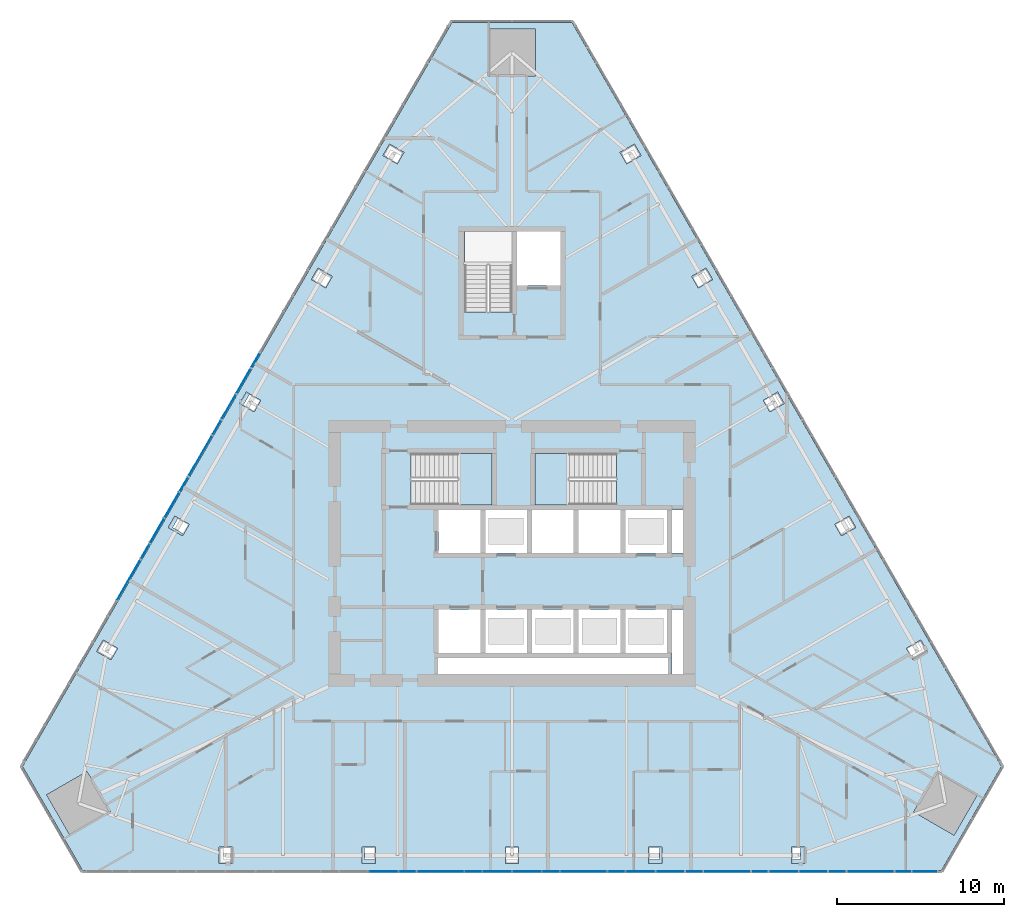
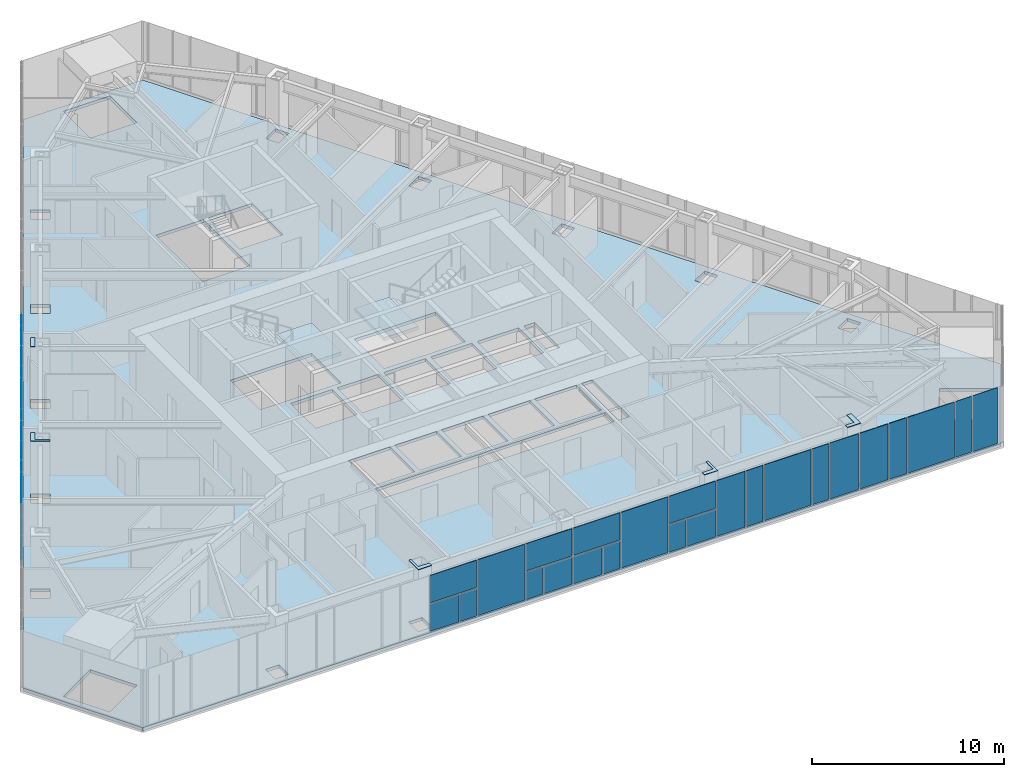
# One storey, part 14 of 24: 39 plates, 3 slabs, 4 elements without a shape of their own.
"""IFC4 building model written with IfcOpenShell, lengths in metres."""

import ifcopenshell
import ifcopenshell.guid

model = None  # the IFC model being written
_history = None  # IfcOwnerHistory: only IFC2X3 demands one
_inside = {}  # id of a spatial element -> (the spatial element, [elements in it])
_under = {}  # id of a project, library or spatial element -> (it, [spatial elements below it])
_declared = {}  # id of a project -> (the project, [libraries it declares])
_typed = {}  # id of a type object -> (the type object, [elements of that type])
_made_of = {}  # id of a material, layer set ... -> (it, [elements and type objects made of it])


def new_model(schema):
    """Start an empty IFC model of exactly this schema.

    Asked for "IFC4X3", IfcOpenShell would pick the latest addendum, in which some entities
    have other attributes; the version numbers below select the first issue.
    IFC2X3 requires an IfcOwnerHistory on every rooted entity: one is made here for all.
    """
    global model, _history
    if schema == "IFC4X3":
        model = ifcopenshell.file(schema_version=(4, 3, 0, 0))
    else:
        model = ifcopenshell.file(schema=schema)
    _inside.clear()
    _under.clear()
    _declared.clear()
    _typed.clear()
    _made_of.clear()
    _history = None
    if model.schema == "IFC2X3":
        org = make("IfcOrganization", Name="unknown")
        user = make(
            "IfcPersonAndOrganization",
            ThePerson=make("IfcPerson", FamilyName="unknown"),
            TheOrganization=org,
        )
        app = make(
            "IfcApplication",
            ApplicationDeveloper=org,
            Version="unknown",
            ApplicationFullName="unknown",
            ApplicationIdentifier="unknown",
        )
        _history = make(
            "IfcOwnerHistory",
            OwningUser=user,
            OwningApplication=app,
            ChangeAction="ADDED",
            CreationDate=0,
        )
    return model


def make(cls, **values):
    """One entity of the class cls with the attributes given. An attribute that is None is left unset."""
    return model.create_entity(
        cls, **{name: value for name, value in values.items() if value is not None}
    )


def rooted(cls, **values):
    """An entity with a GlobalId (a new one), such as an element, a storey or a relation."""
    return make(cls, GlobalId=ifcopenshell.guid.new(), OwnerHistory=_history, **values)


def si_unit(unit_type, name, prefix=None):
    """IfcSIUnit, for example si_unit("LENGTHUNIT", "METRE", prefix="MILLI")."""
    return make("IfcSIUnit", UnitType=unit_type, Prefix=prefix, Name=name)


def assignment(units):
    """IfcUnitAssignment: the units of a project."""
    return None if units is None else make("IfcUnitAssignment", Units=units)


def point(xyz):
    """IfcCartesianPoint."""
    return None if xyz is None else make("IfcCartesianPoint", Coordinates=xyz)


def direction(xyz):
    """IfcDirection."""
    return None if xyz is None else make("IfcDirection", DirectionRatios=xyz)


def frame(location, z_axis=None, x_axis=None):
    """IfcAxis2Placement3D, a coordinate frame: its origin and axes. An axis left out is left unset."""
    return make(
        "IfcAxis2Placement3D",
        Location=point(location),
        Axis=direction(z_axis),
        RefDirection=direction(x_axis),
    )


def origin():
    """The frame at (0, 0, 0) with its axes left unset."""
    return frame((0.0, 0.0, 0.0))


def place(relative_to, where):
    """IfcLocalPlacement: puts the frame where relative to a parent placement (None: the world)."""
    return make(
        "IfcLocalPlacement", PlacementRelTo=relative_to, RelativePlacement=where
    )


def context(
    kind, dimensions, precision=None, world=None, true_north=None, identifier=None
):
    """IfcGeometricRepresentationContext, for example the 3D "Model" context."""
    return make(
        "IfcGeometricRepresentationContext",
        ContextIdentifier=identifier,
        ContextType=kind,
        CoordinateSpaceDimension=dimensions,
        Precision=precision,
        WorldCoordinateSystem=world,
        TrueNorth=true_north,
    )


def subcontext(parent, identifier, kind, view, scale=None):
    """IfcGeometricRepresentationSubContext, for example "Body" below "Model"."""
    return make(
        "IfcGeometricRepresentationSubContext",
        ContextIdentifier=identifier,
        ContextType=kind,
        ParentContext=parent,
        TargetScale=scale,
        TargetView=view,
    )


def project(units=None, contexts=None):
    """IfcProject with its units and contexts."""
    return rooted(
        "IfcProject",
        Name="project",
        RepresentationContexts=contexts,
        UnitsInContext=assignment(units),
    )


def spatial(cls, under=None, at=None, **own):
    """A site, building, storey or space (cls), placed at a placement, below another one or the project."""
    s = rooted(cls, ObjectPlacement=at, **own)
    if under is not None:
        _under.setdefault(under.id(), (under, []))[1].append(s)
    return s


def polyline(points):
    """IfcPolyline through the points."""
    return make("IfcPolyline", Points=[point(p) for p in points])


def outline(outer, holes=None, kind="AREA"):
    """IfcArbitraryClosedProfileDef: a profile drawn as a closed curve; with holes, ...WithVoids."""
    if holes is None:
        return make("IfcArbitraryClosedProfileDef", ProfileType=kind, OuterCurve=outer)
    return make(
        "IfcArbitraryProfileDefWithVoids",
        ProfileType=kind,
        OuterCurve=outer,
        InnerCurves=holes,
    )


def extrude(swept, where, along, depth):
    """IfcExtrudedAreaSolid: the profile swept, set in the frame where, extruded along a direction by depth."""
    return make(
        "IfcExtrudedAreaSolid",
        SweptArea=swept,
        Position=where,
        ExtrudedDirection=direction(along),
        Depth=depth,
    )


def shape(context_of_items, identifier, shape_type, items):
    """IfcShapeRepresentation: the items that make up one representation, for example the "Body"."""
    return make(
        "IfcShapeRepresentation",
        ContextOfItems=context_of_items,
        RepresentationIdentifier=identifier,
        RepresentationType=shape_type,
        Items=items,
    )


def material(Name=None, Category=None):
    """IfcMaterial."""
    return make("IfcMaterial", Name=Name, Category=Category)


def layer(
    of_material, thickness, ventilated=None, Name=None, Category=None, Priority=None
):
    """IfcMaterialLayer: one layer of a wall or slab, of a material (None: an air gap)."""
    return make(
        "IfcMaterialLayer",
        Material=of_material,
        LayerThickness=thickness,
        IsVentilated=ventilated,
        Name=Name,
        Category=Category,
        Priority=Priority,
    )


def layer_set(layers, Name=None):
    """IfcMaterialLayerSet."""
    return make("IfcMaterialLayerSet", MaterialLayers=layers, LayerSetName=Name)


def made_of(thing, what):
    """Note that an element or type object is made of a material, layer set ...; save() writes the relation."""
    if what is not None:
        _made_of.setdefault(what.id(), (what, []))[1].append(thing)
    return thing


def type_object(cls, material=None, **own):
    """A type object (cls), such as IfcWallType, which elements share."""
    return made_of(rooted(cls, **own), material)


def element(
    cls,
    number,
    at=None,
    inside=None,
    cuts=None,
    type_object=None,
    material=None,
    context=None,
    identifier="Body",
    shape_type=None,
    held_by="IfcProductDefinitionShape",
    body=None,
    shapes=None,
    **own,
):
    """One element of the class cls, such as IfcWall. Its Tag is "e" and its number.

    at: its placement. inside: the storey or other place that contains it. cuts: it is an
    opening in that element (IfcRelVoidsElement). A single representation is given by context,
    identifier, shape_type and body (its items); several are given by shapes. held_by: the class
    of the entity that holds the representations. save() writes the other relations.
    """
    e = rooted(cls, Tag="e%d" % number, ObjectPlacement=at, **own)
    if body is not None:
        shapes = [shape(context, identifier, shape_type, body)]
    if shapes is not None:
        e.Representation = make(held_by, Representations=shapes)
    if inside is not None:
        _inside.setdefault(inside.id(), (inside, []))[1].append(e)
    if cuts is not None:
        rooted(
            "IfcRelVoidsElement", RelatingBuildingElement=cuts, RelatedOpeningElement=e
        )
    if type_object is not None:
        _typed.setdefault(type_object.id(), (type_object, []))[1].append(e)
    return made_of(e, material)


def aggregate(whole, parts):
    """IfcRelAggregates: a whole, such as a stair, and the parts it consists of."""
    return rooted("IfcRelAggregates", RelatingObject=whole, RelatedObjects=parts)


def save(model, path):
    """Write the relations noted so far, then the file.

    IfcRelAggregates (storeys below a building ...), IfcRelContainedInSpatialStructure (elements
    in a storey), IfcRelDefinesByType, IfcRelAssociatesMaterial and IfcRelDeclares: one each for
    every whole, place, type object, material and project.
    """
    for whole, parts in _under.values():
        aggregate(whole, parts)
    for where, things in _inside.values():
        rooted(
            "IfcRelContainedInSpatialStructure",
            RelatedElements=things,
            RelatingStructure=where,
        )
    for kind, things in _typed.values():
        rooted("IfcRelDefinesByType", RelatedObjects=things, RelatingType=kind)
    for what, things in _made_of.values():
        rooted("IfcRelAssociatesMaterial", RelatedObjects=things, RelatingMaterial=what)
    for by, libraries in _declared.values():
        rooted("IfcRelDeclares", RelatingContext=by, RelatedDefinitions=libraries)
    model.write(path)


model = new_model("IFC4")

# Units and contexts
model_context = context("Model", 3, precision=1e-05, world=origin(), true_north=direction((0.0, 1.0)))
body_context = subcontext(model_context, "Body", "Model", "MODEL_VIEW")
ifc_project = project(units=[si_unit("LENGTHUNIT", "METRE"), si_unit("AREAUNIT", "SQUARE_METRE"), si_unit("VOLUMEUNIT", "CUBIC_METRE"), si_unit("PLANEANGLEUNIT", "RADIAN"), si_unit("MASSUNIT", "GRAM", prefix="KILO")], contexts=[model_context])

# Site, building, storey
site_placement = place(None, origin())
site = spatial("IfcSite", under=ifc_project, at=site_placement, CompositionType="ELEMENT")
building_placement = place(site_placement, origin())
building = spatial("IfcBuilding", under=site, at=building_placement, Name="Firuza Gate Tower and Library", CompositionType="ELEMENT")
storey_placement = place(building_placement, frame((0.0, 0.0, 206.5)))
storey = spatial("IfcBuildingStorey", under=building, at=storey_placement, Name="L48", CompositionType="ELEMENT", Elevation=206.5)

# Plates
ifc_material_1 = material(Name="Steel S355", Category="steel")
ifc_layer_1 = layer(ifc_material_1, 0.030029296875)
ifc_layer_set_1 = layer_set([ifc_layer_1], Name="Column infill plate 30 Steel S355")
plate_type_1 = type_object("IfcPlateType", Name="Column infill plate 30 Steel S355", PredefinedType="SHEET", material=ifc_layer_set_1)
placement_1 = place(storey_placement, frame((0.0, 0.0, 3.89990234375)))
element("IfcPlate", 1, at=placement_1, inside=storey, type_object=plate_type_1, Name="Infill plate L48:S2", PredefinedType="SHEET", context=body_context, shape_type="SweptSolid", body=[
    extrude(outline(polyline([(66.80615234375, 56.3583984375), (66.80615234375, 56.597412109375), (66.144287109375, 56.597412109375), (66.144287109375, 57.3583984375), (66.00634765625, 57.3583984375), (66.00634765625, 56.3583984375), (66.80615234375, 56.3583984375)])), origin(), (0.0, 0.0, 1.0), 0.030029296875),
])
element("IfcPlate", 2, at=placement_1, inside=storey, type_object=plate_type_1, Name="Infill plate L48:S4", PredefinedType="SHEET", context=body_context, shape_type="SweptSolid", body=[
    extrude(outline(polyline([(83.99365234375, 57.3583984375), (83.855712890625, 57.3583984375), (83.855712890625, 56.597412109375), (83.19384765625, 56.597412109375), (83.19384765625, 56.3583984375), (83.99365234375, 56.3583984375), (83.99365234375, 57.3583984375)])), origin(), (0.0, 0.0, 1.0), 0.030029296875),
])
element("IfcPlate", 3, at=placement_1, inside=storey, type_object=plate_type_1, Name="Infill plate L48:S5", PredefinedType="SHEET", context=body_context, shape_type="SweptSolid", body=[
    extrude(outline(polyline([(92.58740234375, 57.3583984375), (92.311279296875, 57.3583984375), (92.311279296875, 56.597412109375), (91.787353515625, 56.597412109375), (91.787353515625, 56.3583984375), (92.58740234375, 56.3583984375), (92.58740234375, 57.3583984375)])), origin(), (0.0, 0.0, 1.0), 0.030029296875),
])
element("IfcPlate", 4, at=placement_1, inside=storey, type_object=plate_type_1, Name="Infill plate L48:W3", PredefinedType="SHEET", context=body_context, shape_type="SweptSolid", body=[
    extrude(outline(polyline([(58.65576171875, 83.974365234375), (58.86279296875, 83.85498046875), (59.262939453125, 84.547607421875), (59.921875, 84.167236328125), (59.921875, 84.167236328125), (59.055908203125, 84.667236328125), (58.65576171875, 83.974365234375)])), origin(), (0.0, 0.0, 1.0), 0.030029296875),
])
element("IfcPlate", 5, at=placement_1, inside=storey, type_object=plate_type_1, Name="Infill plate L48:W4", PredefinedType="SHEET", context=body_context, shape_type="SweptSolid", body=[
    extrude(outline(polyline([(55.224853515625, 76.031982421875), (55.2939453125, 76.151611328125), (54.635009765625, 76.531982421875), (54.966064453125, 77.105224609375), (54.759033203125, 77.224853515625), (54.35888671875, 76.531982421875), (55.224853515625, 76.031982421875)])), origin(), (0.0, 0.0, 1.0), 0.030029296875),
])

# Slab
ifc_material_2 = material(Name="Concrete C40/50", Category="concrete")
ifc_layer_2 = layer(ifc_material_2, 0.199951171875)
ifc_layer_set_2 = layer_set([ifc_layer_2], Name="Composite floor slab 200 C40/50")
slab_type_1 = type_object("IfcSlabType", Name="Composite floor slab 200 C40/50", PredefinedType="FLOOR", material=ifc_layer_set_2)
slab_1_placement = place(storey_placement, frame((0.0, 0.0, -0.199951171875)))
element("IfcSlab", 6, at=slab_1_placement, inside=storey, type_object=slab_type_1, Name="Floor slab L48", PredefinedType="FLOOR", context=body_context, shape_type="SweptSolid", body=[
    extrude(outline(polyline([(45.618896484375, 62.193603515625), (49.21875, 55.958251953125), (100.78125, 55.958251953125), (104.381103515625, 62.193603515625), (78.60009765625, 106.84814453125), (71.39990234375, 106.84814453125), (45.618896484375, 62.193603515625)]), holes=[polyline([(57.41259765625, 56.3583984375), (57.41259765625, 57.3583984375), (58.212646484375, 57.3583984375), (58.212646484375, 56.3583984375), (57.41259765625, 56.3583984375)]), polyline([(74.60009765625, 56.3583984375), (74.60009765625, 57.3583984375), (75.39990234375, 57.3583984375), (75.39990234375, 56.3583984375), (74.60009765625, 56.3583984375)]), polyline([(66.00634765625, 56.3583984375), (66.00634765625, 57.3583984375), (66.80615234375, 57.3583984375), (66.80615234375, 56.3583984375), (66.00634765625, 56.3583984375)]), polyline([(47.065185546875, 60.488525390625), (49.489990234375, 61.888427734375), (50.89013671875, 59.463623046875), (48.465087890625, 58.0634765625), (47.065185546875, 60.488525390625)]), polyline([(84.35009765625, 67.75), (70.550048828125, 67.75), (70.550048828125, 68.699951171875), (84.35009765625, 68.699951171875), (84.35009765625, 67.75)]), polyline([(50.462158203125, 69.782470703125), (51.328125, 69.282470703125), (50.927978515625, 68.589599609375), (50.06201171875, 69.089599609375), (50.462158203125, 69.782470703125)]), polyline([(73.10009765625, 69.0), (70.60009765625, 69.0), (70.60009765625, 71.60009765625), (73.10009765625, 71.60009765625), (73.10009765625, 69.0)]), polyline([(75.89990234375, 69.0), (73.39990234375, 69.0), (73.39990234375, 71.60009765625), (75.89990234375, 71.60009765625), (75.89990234375, 69.0)]), polyline([(73.10009765625, 75.0), (70.60009765625, 75.0), (70.60009765625, 77.60009765625), (73.10009765625, 77.60009765625), (73.10009765625, 75.0)]), polyline([(75.89990234375, 75.0), (73.39990234375, 75.0), (73.39990234375, 77.60009765625), (75.89990234375, 77.60009765625), (75.89990234375, 75.0)]), polyline([(54.759033203125, 77.224853515625), (55.625, 76.724853515625), (55.224853515625, 76.031982421875), (54.35888671875, 76.531982421875), (54.759033203125, 77.224853515625)]), polyline([(73.81005859375, 77.89990234375), (68.9404296875, 77.89990234375), (68.9404296875, 80.97998046875), (73.81005859375, 80.97998046875), (73.81005859375, 77.89990234375)]), polyline([(59.055908203125, 84.667236328125), (59.921875, 84.167236328125), (59.521728515625, 83.474365234375), (58.65576171875, 83.974365234375), (59.055908203125, 84.667236328125)]), polyline([(63.352783203125, 92.109619140625), (64.21875, 91.609619140625), (63.818603515625, 90.916748046875), (62.95263671875, 91.416748046875), (63.352783203125, 92.109619140625)]), polyline([(72.159912109375, 89.470458984375), (72.159912109375, 94.300048828125), (75.0, 94.300048828125), (75.0, 89.470458984375), (72.159912109375, 89.470458984375)]), polyline([(75.300048828125, 91.050048828125), (75.300048828125, 94.300048828125), (77.89990234375, 94.300048828125), (77.89990234375, 91.050048828125), (75.300048828125, 91.050048828125)]), polyline([(68.515625, 99.052001953125), (68.115478515625, 98.359130859375), (67.24951171875, 98.859130859375), (67.649658203125, 99.552001953125), (68.515625, 99.052001953125)]), polyline([(76.39990234375, 106.447998046875), (76.39990234375, 103.64794921875), (73.60009765625, 103.64794921875), (73.60009765625, 106.447998046875), (76.39990234375, 106.447998046875)]), polyline([(91.787353515625, 56.3583984375), (91.787353515625, 57.3583984375), (92.58740234375, 57.3583984375), (92.58740234375, 56.3583984375), (91.787353515625, 56.3583984375)]), polyline([(83.19384765625, 56.3583984375), (83.19384765625, 57.3583984375), (83.99365234375, 57.3583984375), (83.99365234375, 56.3583984375), (83.19384765625, 56.3583984375)]), polyline([(101.534912109375, 58.0634765625), (99.10986328125, 59.463623046875), (100.510009765625, 61.888427734375), (102.934814453125, 60.488525390625), (101.534912109375, 58.0634765625)]), polyline([(99.93798828125, 69.089599609375), (99.072021484375, 68.589599609375), (98.671875, 69.282470703125), (99.537841796875, 69.782470703125), (99.93798828125, 69.089599609375)]), polyline([(85.25, 67.75), (84.60009765625, 67.75), (84.60009765625, 71.60009765625), (85.25, 71.60009765625), (85.25, 67.75)]), polyline([(81.5, 69.0), (79.0, 69.0), (79.0, 71.60009765625), (81.5, 71.60009765625), (81.5, 69.0)]), polyline([(81.800048828125, 69.0), (81.800048828125, 71.60009765625), (84.300048828125, 71.60009765625), (84.300048828125, 69.0), (81.800048828125, 69.0)]), polyline([(76.199951171875, 69.0), (76.199951171875, 71.60009765625), (78.699951171875, 71.60009765625), (78.699951171875, 69.0), (76.199951171875, 69.0)]), polyline([(81.5, 75.0), (79.0, 75.0), (79.0, 77.60009765625), (81.5, 77.60009765625), (81.5, 75.0)]), polyline([(84.300048828125, 75.0), (81.800048828125, 75.0), (81.800048828125, 77.60009765625), (84.300048828125, 77.60009765625), (84.300048828125, 75.0)]), polyline([(85.25, 75.0), (84.60009765625, 75.0), (84.60009765625, 77.60009765625), (85.25, 77.60009765625), (85.25, 75.0)]), polyline([(78.699951171875, 75.0), (76.199951171875, 75.0), (76.199951171875, 77.60009765625), (78.699951171875, 77.60009765625), (78.699951171875, 75.0)]), polyline([(95.64111328125, 76.531982421875), (94.775146484375, 76.031982421875), (94.375, 76.724853515625), (95.240966796875, 77.224853515625), (95.64111328125, 76.531982421875)]), polyline([(81.259521484375, 77.89990234375), (76.389892578125, 77.89990234375), (76.389892578125, 80.97998046875), (81.259521484375, 80.97998046875), (81.259521484375, 77.89990234375)]), polyline([(91.34423828125, 83.974365234375), (90.478271484375, 83.474365234375), (90.078125, 84.167236328125), (90.944091796875, 84.667236328125), (91.34423828125, 83.974365234375)]), polyline([(86.181396484375, 90.916748046875), (85.78125, 91.609619140625), (86.647216796875, 92.109619140625), (87.04736328125, 91.416748046875), (86.181396484375, 90.916748046875)]), polyline([(81.884521484375, 98.359130859375), (81.484375, 99.052001953125), (82.350341796875, 99.552001953125), (82.75048828125, 98.859130859375), (81.884521484375, 98.359130859375)])]), origin(), (0.0, 0.0, 1.0), 0.199951171875),
])

# Curtain wall, plates
ifc_material_3 = material(Name="Aluminium 6063-T6", Category="aluminium")
ifc_layer_3 = layer(ifc_material_3, 0.14990234375)
ifc_layer_set_3 = layer_set([ifc_layer_3], Name="Unitised curtain wall, hotel")
curtain_wall_type = type_object("IfcCurtainWallType", Name="Unitised curtain wall, hotel", PredefinedType="NOTDEFINED", material=ifc_layer_set_3)
placement_2 = place(storey_placement, origin())
curtain_wall_1 = element("IfcCurtainWall", 7, at=placement_2, inside=storey, type_object=curtain_wall_type, Name="CW2 L48 S face", PredefinedType="NOTDEFINED")
ifc_material_4 = material(Name="Fritted glass", Category="glass")
ifc_layer_4 = layer(ifc_material_4, 0.030029296875)
ifc_layer_set_4 = layer_set([ifc_layer_4], Name="Fritted glass unit, hotel")
plate_type_2 = type_object("IfcPlateType", Name="Fritted glass unit, hotel", PredefinedType="CURTAIN_PANEL", material=ifc_layer_set_4)
plate_6_placement = place(storey_placement, frame((66.431884765625, 55.868408203125, 0.14990234375), z_axis=(0.0, -1.0, 0.0), x_axis=(1.0, 0.0, 0.0)))
plate_6 = element("IfcPlate", 8, at=plate_6_placement, type_object=plate_type_2, Name="Glass unit", PredefinedType="CURTAIN_PANEL", context=body_context, shape_type="SweptSolid", body=[
    extrude(outline(polyline([(0.0, 0.0), (1.720947265625, 0.0), (1.720947265625, 1.735107421875), (0.0, 1.735107421875), (0.0, 0.0)])), origin(), (0.0, 0.0, -1.0), 0.030029296875),
])
plate_7_placement = place(storey_placement, frame((66.431884765625, 55.868408203125, 1.965087890625), z_axis=(0.0, -1.0, 0.0), x_axis=(1.0, 0.0, 0.0)))
plate_7 = element("IfcPlate", 9, at=plate_7_placement, type_object=plate_type_2, Name="Glass unit", PredefinedType="CURTAIN_PANEL", context=body_context, shape_type="SweptSolid", body=[
    extrude(outline(polyline([(0.0, 0.0), (2.789306640625, 0.0), (2.789306640625, 1.73486328125), (0.0, 1.73486328125), (0.0, 0.0)])), origin(), (0.0, 0.0, -1.0), 0.030029296875),
])
plate_8_placement = place(storey_placement, frame((73.25341796875, 55.868408203125, 0.14990234375), z_axis=(0.0, -1.0, 0.0), x_axis=(1.0, 0.0, 0.0)))
plate_8 = element("IfcPlate", 10, at=plate_8_placement, type_object=plate_type_2, Name="Glass unit", PredefinedType="CURTAIN_PANEL", context=body_context, shape_type="SweptSolid", body=[
    extrude(outline(polyline([(0.0, 0.0), (1.70654296875, 0.0), (1.70654296875, 1.735107421875), (0.0, 1.735107421875), (0.0, 0.0)])), origin(), (0.0, 0.0, -1.0), 0.030029296875),
])
plate_9_placement = place(storey_placement, frame((72.170654296875, 55.868408203125, 1.965087890625), z_axis=(0.0, -1.0, 0.0), x_axis=(1.0, 0.0, 0.0)))
plate_9 = element("IfcPlate", 11, at=plate_9_placement, type_object=plate_type_2, Name="Glass unit", PredefinedType="CURTAIN_PANEL", context=body_context, shape_type="SweptSolid", body=[
    extrude(outline(polyline([(0.0, 0.0), (2.789306640625, 0.0), (2.789306640625, 1.73486328125), (0.0, 1.73486328125), (0.0, 0.0)])), origin(), (0.0, 0.0, -1.0), 0.030029296875),
])
plate_10_placement = place(storey_placement, frame((75.0400390625, 55.868408203125, 0.14990234375), z_axis=(0.0, -1.0, 0.0), x_axis=(1.0, 0.0, 0.0)))
plate_10 = element("IfcPlate", 12, at=plate_10_placement, type_object=plate_type_2, Name="Glass unit", PredefinedType="CURTAIN_PANEL", context=body_context, shape_type="SweptSolid", body=[
    extrude(outline(polyline([(0.0, 0.0), (1.70654296875, 0.0), (1.70654296875, 1.735107421875), (0.0, 1.735107421875), (0.0, 0.0)])), origin(), (0.0, 0.0, -1.0), 0.030029296875),
])
plate_11_placement = place(storey_placement, frame((75.0400390625, 55.868408203125, 1.965087890625), z_axis=(0.0, -1.0, 0.0), x_axis=(1.0, 0.0, 0.0)))
plate_11 = element("IfcPlate", 13, at=plate_11_placement, type_object=plate_type_2, Name="Glass unit", PredefinedType="CURTAIN_PANEL", context=body_context, shape_type="SweptSolid", body=[
    extrude(outline(polyline([(0.0, 0.0), (2.789306640625, 0.0), (2.789306640625, 1.73486328125), (0.0, 1.73486328125), (0.0, 0.0)])), origin(), (0.0, 0.0, -1.0), 0.030029296875),
])
plate_12_placement = place(storey_placement, frame((81.84716796875, 55.868408203125, 0.14990234375), z_axis=(0.0, -1.0, 0.0), x_axis=(1.0, 0.0, 0.0)))
plate_12 = element("IfcPlate", 14, at=plate_12_placement, type_object=plate_type_2, Name="Glass unit", PredefinedType="CURTAIN_PANEL", context=body_context, shape_type="SweptSolid", body=[
    extrude(outline(polyline([(0.0, 0.0), (1.720947265625, 0.0), (1.720947265625, 1.735107421875), (0.0, 1.735107421875), (0.0, 0.0)])), origin(), (0.0, 0.0, -1.0), 0.030029296875),
])
plate_13_placement = place(storey_placement, frame((80.77880859375, 55.868408203125, 1.965087890625), z_axis=(0.0, -1.0, 0.0), x_axis=(1.0, 0.0, 0.0)))
plate_13 = element("IfcPlate", 15, at=plate_13_placement, type_object=plate_type_2, Name="Glass unit", PredefinedType="CURTAIN_PANEL", context=body_context, shape_type="SweptSolid", body=[
    extrude(outline(polyline([(0.0, 0.0), (2.789306640625, 0.0), (2.789306640625, 1.73486328125), (0.0, 1.73486328125), (0.0, 0.0)])), origin(), (0.0, 0.0, -1.0), 0.030029296875),
])
plate_14_placement = place(storey_placement, frame((83.648193359375, 55.868408203125, 0.14990234375), z_axis=(0.0, -1.0, 0.0), x_axis=(1.0, 0.0, 0.0)))
plate_14 = element("IfcPlate", 16, at=plate_14_placement, type_object=plate_type_2, Name="Glass unit", PredefinedType="CURTAIN_PANEL", context=body_context, shape_type="SweptSolid", body=[
    extrude(outline(polyline([(0.0, 0.0), (1.69189453125, 0.0), (1.69189453125, 3.550048828125), (0.0, 3.550048828125), (0.0, 0.0)])), origin(), (0.0, 0.0, -1.0), 0.030029296875),
])
plate_15_placement = place(storey_placement, frame((90.44091796875, 55.868408203125, 0.14990234375), z_axis=(0.0, -1.0, 0.0), x_axis=(1.0, 0.0, 0.0)))
plate_15 = element("IfcPlate", 17, at=plate_15_placement, type_object=plate_type_2, Name="Glass unit", PredefinedType="CURTAIN_PANEL", context=body_context, shape_type="SweptSolid", body=[
    extrude(outline(polyline([(0.0, 0.0), (1.7353515625, 0.0), (1.7353515625, 3.550048828125), (0.0, 3.550048828125), (0.0, 0.0)])), origin(), (0.0, 0.0, -1.0), 0.030029296875),
])
plate_16_placement = place(storey_placement, frame((92.25634765625, 55.868408203125, 0.14990234375), z_axis=(0.0, -1.0, 0.0), x_axis=(1.0, 0.0, 0.0)))
plate_16 = element("IfcPlate", 18, at=plate_16_placement, type_object=plate_type_2, Name="Glass unit", PredefinedType="CURTAIN_PANEL", context=body_context, shape_type="SweptSolid", body=[
    extrude(outline(polyline([(0.0, 0.0), (1.677490234375, 0.0), (1.677490234375, 3.550048828125), (0.0, 3.550048828125), (0.0, 0.0)])), origin(), (0.0, 0.0, -1.0), 0.030029296875),
])
plate_17_placement = place(storey_placement, frame((99.03466796875, 55.868408203125, 0.14990234375), z_axis=(0.0, -1.0, 0.0), x_axis=(1.0, 0.0, 0.0)))
plate_17 = element("IfcPlate", 19, at=plate_17_placement, type_object=plate_type_2, Name="Glass unit", PredefinedType="CURTAIN_PANEL", context=body_context, shape_type="SweptSolid", body=[
    extrude(outline(polyline([(0.0, 0.0), (1.483642578125, 0.0), (1.483642578125, 3.550048828125), (0.0, 3.550048828125), (0.0, 0.0)])), origin(), (0.0, 0.0, -1.0), 0.030029296875),
])

curtain_wall_2 = element("IfcCurtainWall", 20, at=placement_2, inside=storey, type_object=curtain_wall_type, Name="CW2 L48 W face", PredefinedType="NOTDEFINED")
plate_18_placement = place(storey_placement, frame((59.3046875, 86.078369140625, 0.14990234375), z_axis=(-0.866006890829, 0.500032064009, 0.0), x_axis=(-0.500032064009, -0.866006890829, 0.0)))
plate_18 = element("IfcPlate", 21, at=plate_18_placement, type_object=plate_type_2, Name="Glass unit", PredefinedType="CURTAIN_PANEL", context=body_context, shape_type="SweptSolid", body=[
    extrude(outline(polyline([(0.0, 0.0), (1.7064335385493044, 0.0), (1.7064335385493044, 3.550048828125), (0.0, 3.550048828125), (0.0, 0.0)])), origin(), (0.0, 0.0, -1.0), 0.030029296875),
])
plate_19_placement = place(storey_placement, frame((58.411376953125, 84.53125, 0.14990234375), z_axis=(-0.866006890829, 0.500032064009, 0.0), x_axis=(-0.500032064009, -0.866006890829, 0.0)))
plate_19 = element("IfcPlate", 22, at=plate_19_placement, type_object=plate_type_2, Name="Glass unit", PredefinedType="CURTAIN_PANEL", context=body_context, shape_type="SweptSolid", body=[
    extrude(outline(polyline([(0.0, 0.0), (1.7064335385493044, 0.0), (1.7064335385493044, 3.550048828125), (0.0, 3.550048828125), (0.0, 0.0)])), origin(), (0.0, 0.0, -1.0), 0.030029296875),
])
plate_20_placement = place(storey_placement, frame((55.0078125, 78.635986328125, 0.14990234375), z_axis=(-0.866069837128, 0.499923031292, 0.0), x_axis=(-0.499923031292, -0.866069837128, 0.0)))
plate_20 = element("IfcPlate", 23, at=plate_20_placement, type_object=plate_type_2, Name="Glass unit", PredefinedType="CURTAIN_PANEL", context=body_context, shape_type="SweptSolid", body=[
    extrude(outline(polyline([(0.0, 0.0), (1.720968046372708, 0.0), (1.720968046372708, 3.550048828125), (0.0, 3.550048828125), (0.0, 0.0)])), origin(), (0.0, 0.0, -1.0), 0.030029296875),
])
plate_21_placement = place(storey_placement, frame((54.107421875, 77.076416015625, 0.14990234375), z_axis=(-0.865978937756, 0.500080472886, 0.0), x_axis=(-0.500080472886, -0.865978937756, 0.0)))
plate_21 = element("IfcPlate", 24, at=plate_21_placement, type_object=plate_type_2, Name="Glass unit", PredefinedType="CURTAIN_PANEL", context=body_context, shape_type="SweptSolid", body=[
    extrude(outline(polyline([(0.0, 0.0), (1.6921104744722206, 0.0), (1.6921104744722206, 3.550048828125), (0.0, 3.550048828125), (0.0, 0.0)])), origin(), (0.0, 0.0, -1.0), 0.030029296875),
])

# Plate
ifc_material_5 = material(Name="Glazed ceramic tile")
ifc_layer_5 = layer(ifc_material_5, 0.030029296875)
ifc_layer_set_5 = layer_set([ifc_layer_5], Name="Opaque ceramic panel, hotel")
plate_type_3 = type_object("IfcPlateType", Name="Opaque ceramic panel, hotel", PredefinedType="CURTAIN_PANEL", material=ifc_layer_set_5)
plate_22_placement = place(storey_placement, frame((68.232666015625, 55.868408203125, 0.14990234375), z_axis=(0.0, -1.0, 0.0), x_axis=(1.0, 0.0, 0.0)))
plate_22 = element("IfcPlate", 25, at=plate_22_placement, type_object=plate_type_3, Name="Opaque ceramic panel", PredefinedType="CURTAIN_PANEL", context=body_context, shape_type="SweptSolid", body=[
    extrude(outline(polyline([(0.0, 0.0), (0.988525390625, 0.0), (0.988525390625, 1.735107421875), (0.0, 1.735107421875), (0.0, 0.0)])), origin(), (0.0, 0.0, -1.0), 0.030029296875),
])

plate_23_placement = place(storey_placement, frame((69.30126953125, 55.868408203125, 0.14990234375), z_axis=(0.0, -1.0, 0.0), x_axis=(1.0, 0.0, 0.0)))
plate_23 = element("IfcPlate", 26, at=plate_23_placement, type_object=plate_type_3, Name="Opaque ceramic panel", PredefinedType="CURTAIN_PANEL", context=body_context, shape_type="SweptSolid", body=[
    extrude(outline(polyline([(0.0, 0.0), (2.789306640625, 0.0), (2.789306640625, 3.550048828125), (0.0, 3.550048828125), (0.0, 0.0)])), origin(), (0.0, 0.0, -1.0), 0.030029296875),
])

plate_24_placement = place(storey_placement, frame((72.170654296875, 55.868408203125, 0.14990234375), z_axis=(0.0, -1.0, 0.0), x_axis=(1.0, 0.0, 0.0)))
plate_24 = element("IfcPlate", 27, at=plate_24_placement, type_object=plate_type_3, Name="Opaque ceramic panel", PredefinedType="CURTAIN_PANEL", context=body_context, shape_type="SweptSolid", body=[
    extrude(outline(polyline([(0.0, 0.0), (1.0029296875, 0.0), (1.0029296875, 1.735107421875), (0.0, 1.735107421875), (0.0, 0.0)])), origin(), (0.0, 0.0, -1.0), 0.030029296875),
])

plate_25_placement = place(storey_placement, frame((76.826416015625, 55.868408203125, 0.14990234375), z_axis=(0.0, -1.0, 0.0), x_axis=(1.0, 0.0, 0.0)))
plate_25 = element("IfcPlate", 28, at=plate_25_placement, type_object=plate_type_3, Name="Opaque ceramic panel", PredefinedType="CURTAIN_PANEL", context=body_context, shape_type="SweptSolid", body=[
    extrude(outline(polyline([(0.0, 0.0), (1.0029296875, 0.0), (1.0029296875, 1.735107421875), (0.0, 1.735107421875), (0.0, 0.0)])), origin(), (0.0, 0.0, -1.0), 0.030029296875),
])

plate_26_placement = place(storey_placement, frame((77.909423828125, 55.868408203125, 0.14990234375), z_axis=(0.0, -1.0, 0.0), x_axis=(1.0, 0.0, 0.0)))
plate_26 = element("IfcPlate", 29, at=plate_26_placement, type_object=plate_type_3, Name="Opaque ceramic panel", PredefinedType="CURTAIN_PANEL", context=body_context, shape_type="SweptSolid", body=[
    extrude(outline(polyline([(0.0, 0.0), (2.789306640625, 0.0), (2.789306640625, 3.550048828125), (0.0, 3.550048828125), (0.0, 0.0)])), origin(), (0.0, 0.0, -1.0), 0.030029296875),
])

plate_27_placement = place(storey_placement, frame((80.77880859375, 55.868408203125, 0.14990234375), z_axis=(0.0, -1.0, 0.0), x_axis=(1.0, 0.0, 0.0)))
plate_27 = element("IfcPlate", 30, at=plate_27_placement, type_object=plate_type_3, Name="Opaque ceramic panel", PredefinedType="CURTAIN_PANEL", context=body_context, shape_type="SweptSolid", body=[
    extrude(outline(polyline([(0.0, 0.0), (0.988525390625, 0.0), (0.988525390625, 1.735107421875), (0.0, 1.735107421875), (0.0, 0.0)])), origin(), (0.0, 0.0, -1.0), 0.030029296875),
])

plate_28_placement = place(storey_placement, frame((85.420166015625, 55.868408203125, 0.14990234375), z_axis=(0.0, -1.0, 0.0), x_axis=(1.0, 0.0, 0.0)))
plate_28 = element("IfcPlate", 31, at=plate_28_placement, type_object=plate_type_3, Name="Opaque ceramic panel", PredefinedType="CURTAIN_PANEL", context=body_context, shape_type="SweptSolid", body=[
    extrude(outline(polyline([(0.0, 0.0), (1.017333984375, 0.0), (1.017333984375, 3.550048828125), (0.0, 3.550048828125), (0.0, 0.0)])), origin(), (0.0, 0.0, -1.0), 0.030029296875),
])

plate_29_placement = place(storey_placement, frame((86.517578125, 55.868408203125, 0.14990234375), z_axis=(0.0, -1.0, 0.0), x_axis=(1.0, 0.0, 0.0)))
plate_29 = element("IfcPlate", 32, at=plate_29_placement, type_object=plate_type_3, Name="Opaque ceramic panel", PredefinedType="CURTAIN_PANEL", context=body_context, shape_type="SweptSolid", body=[
    extrude(outline(polyline([(0.0, 0.0), (2.789306640625, 0.0), (2.789306640625, 3.550048828125), (0.0, 3.550048828125), (0.0, 0.0)])), origin(), (0.0, 0.0, -1.0), 0.030029296875),
])

plate_30_placement = place(storey_placement, frame((89.386962890625, 55.868408203125, 0.14990234375), z_axis=(0.0, -1.0, 0.0), x_axis=(1.0, 0.0, 0.0)))
plate_30 = element("IfcPlate", 33, at=plate_30_placement, type_object=plate_type_3, Name="Opaque ceramic panel", PredefinedType="CURTAIN_PANEL", context=body_context, shape_type="SweptSolid", body=[
    extrude(outline(polyline([(0.0, 0.0), (0.97412109375, 0.0), (0.97412109375, 3.550048828125), (0.0, 3.550048828125), (0.0, 0.0)])), origin(), (0.0, 0.0, -1.0), 0.030029296875),
])

plate_31_placement = place(storey_placement, frame((94.013916015625, 55.868408203125, 0.14990234375), z_axis=(0.0, -1.0, 0.0), x_axis=(1.0, 0.0, 0.0)))
plate_31 = element("IfcPlate", 34, at=plate_31_placement, type_object=plate_type_3, Name="Opaque ceramic panel", PredefinedType="CURTAIN_PANEL", context=body_context, shape_type="SweptSolid", body=[
    extrude(outline(polyline([(0.0, 0.0), (1.03173828125, 0.0), (1.03173828125, 3.550048828125), (0.0, 3.550048828125), (0.0, 0.0)])), origin(), (0.0, 0.0, -1.0), 0.030029296875),
])

plate_32_placement = place(storey_placement, frame((95.125732421875, 55.868408203125, 0.14990234375), z_axis=(0.0, -1.0, 0.0), x_axis=(1.0, 0.0, 0.0)))
plate_32 = element("IfcPlate", 35, at=plate_32_placement, type_object=plate_type_3, Name="Opaque ceramic panel", PredefinedType="CURTAIN_PANEL", context=body_context, shape_type="SweptSolid", body=[
    extrude(outline(polyline([(0.0, 0.0), (2.789306640625, 0.0), (2.789306640625, 3.550048828125), (0.0, 3.550048828125), (0.0, 0.0)])), origin(), (0.0, 0.0, -1.0), 0.030029296875),
])

plate_33_placement = place(storey_placement, frame((97.9951171875, 55.868408203125, 0.14990234375), z_axis=(0.0, -1.0, 0.0), x_axis=(1.0, 0.0, 0.0)))
plate_33 = element("IfcPlate", 36, at=plate_33_placement, type_object=plate_type_3, Name="Opaque ceramic panel", PredefinedType="CURTAIN_PANEL", context=body_context, shape_type="SweptSolid", body=[
    extrude(outline(polyline([(0.0, 0.0), (0.959716796875, 0.0), (0.959716796875, 3.550048828125), (0.0, 3.550048828125), (0.0, 0.0)])), origin(), (0.0, 0.0, -1.0), 0.030029296875),
])

aggregate(curtain_wall_1, [plate_6, plate_22, plate_7, plate_23, plate_24, plate_8, plate_9, plate_10, plate_25, plate_11, plate_26, plate_27, plate_12, plate_13, plate_14, plate_28, plate_29, plate_30, plate_15, plate_16, plate_31, plate_32, plate_33, plate_17])

plate_34_placement = place(storey_placement, frame((59.84619140625, 87.01611328125, 0.14990234375), z_axis=(-0.865986912717, 0.500066662559, 0.0), x_axis=(-0.500066662559, -0.865986912717, 0.0)))
plate_34 = element("IfcPlate", 37, at=plate_34_placement, type_object=plate_type_3, Name="Opaque ceramic panel", PredefinedType="CURTAIN_PANEL", context=body_context, shape_type="SweptSolid", body=[
    extrude(outline(polyline([(0.0, 0.0), (1.0027959896070602, 0.0), (1.0027959896070602, 3.550048828125), (0.0, 3.550048828125), (0.0, 0.0)])), origin(), (0.0, 0.0, -1.0), 0.030029296875),
])

plate_35_placement = place(storey_placement, frame((57.518310546875, 82.984130859375, 0.14990234375), z_axis=(-0.866047774678, 0.499961250474, 0.0), x_axis=(-0.499961250474, -0.866047774678, 0.0)))
plate_35 = element("IfcPlate", 38, at=plate_35_placement, type_object=plate_type_3, Name="Opaque ceramic panel", PredefinedType="CURTAIN_PANEL", context=body_context, shape_type="SweptSolid", body=[
    extrude(outline(polyline([(0.0, 0.0), (1.0030074196233945, 0.0), (1.0030074196233945, 3.550048828125), (0.0, 3.550048828125), (0.0, 0.0)])), origin(), (0.0, 0.0, -1.0), 0.030029296875),
])

plate_36_placement = place(storey_placement, frame((56.976806640625, 82.046142578125, 0.14990234375), z_axis=(-0.865999007209, 0.500045717423, 0.0), x_axis=(-0.500045717423, -0.865999007209, 0.0)))
plate_36 = element("IfcPlate", 39, at=plate_36_placement, type_object=plate_type_3, Name="Opaque ceramic panel", PredefinedType="CURTAIN_PANEL", context=body_context, shape_type="SweptSolid", body=[
    extrude(outline(polyline([(0.0, 0.0), (2.7892957424226377, 0.0), (2.7892957424226377, 3.550048828125), (0.0, 3.550048828125), (0.0, 0.0)])), origin(), (0.0, 0.0, -1.0), 0.030029296875),
])

plate_37_placement = place(storey_placement, frame((55.5419921875, 79.561279296875, 0.14990234375), z_axis=(-0.866045730533, 0.499964791386, 0.0), x_axis=(-0.499964791386, -0.866045730533, 0.0)))
plate_37 = element("IfcPlate", 40, at=plate_37_placement, type_object=plate_type_3, Name="Opaque ceramic panel", PredefinedType="CURTAIN_PANEL", context=body_context, shape_type="SweptSolid", body=[
    extrude(outline(polyline([(0.0, 0.0), (0.9883508469271952, 0.0), (0.9883508469271952, 3.550048828125), (0.0, 3.550048828125), (0.0, 0.0)])), origin(), (0.0, 0.0, -1.0), 0.030029296875),
])

plate_38_placement = place(storey_placement, frame((53.221435546875, 75.541748046875, 0.14990234375), z_axis=(-0.865989775611, 0.500061704731, 0.0), x_axis=(-0.500061704731, -0.865989775611, 0.0)))
plate_38 = element("IfcPlate", 41, at=plate_38_placement, type_object=plate_type_3, Name="Opaque ceramic panel", PredefinedType="CURTAIN_PANEL", context=body_context, shape_type="SweptSolid", body=[
    extrude(outline(polyline([(0.0, 0.0), (1.0174525617277514, 0.0), (1.0174525617277514, 3.550048828125), (0.0, 3.550048828125), (0.0, 0.0)])), origin(), (0.0, 0.0, -1.0), 0.030029296875),
])

plate_39_placement = place(storey_placement, frame((52.672607421875, 74.59130859375, 0.14990234375), z_axis=(-0.866036909293, 0.499980071345, 0.0), x_axis=(-0.499980071345, -0.866036909293, 0.0)))
plate_39 = element("IfcPlate", 42, at=plate_39_placement, type_object=plate_type_3, Name="Opaque ceramic panel", PredefinedType="CURTAIN_PANEL", context=body_context, shape_type="SweptSolid", body=[
    extrude(outline(polyline([(0.0, 0.0), (2.789173668961919, 0.0), (2.789173668961919, 3.550048828125), (0.0, 3.550048828125), (0.0, 0.0)])), origin(), (0.0, 0.0, -1.0), 0.030029296875),
])

aggregate(curtain_wall_2, [plate_34, plate_18, plate_19, plate_35, plate_36, plate_37, plate_20, plate_21, plate_38, plate_39])

# Stair, slab
ifc_material_6 = material(Name="Concrete C35/45", Category="concrete")
stair_type = type_object("IfcStairType", Name="Exit stair ST7", PredefinedType="HALF_TURN_STAIR", material=ifc_material_6)
stair_1 = element("IfcStair", 43, at=placement_2, inside=storey, type_object=stair_type, Name="L48 Stair ST1", PredefinedType="HALF_TURN_STAIR")
ifc_material_7 = material(Name="Concrete C35/45", Category="concrete")
ifc_layer_6 = layer(ifc_material_7, 0.199951171875)
ifc_layer_set_6 = layer_set([ifc_layer_6], Name="Stair landing 200")
slab_type_2 = type_object("IfcSlabType", Name="Stair landing 200", PredefinedType="LANDING", material=ifc_layer_set_6)
placement_3 = place(storey_placement, frame((0.0, 0.0, 1.75)))
slab_2 = element("IfcSlab", 44, at=placement_3, type_object=slab_type_2, Name="ST1 landing 1", PredefinedType="LANDING", context=body_context, shape_type="SweptSolid", body=[
    extrude(outline(polyline([(71.739990234375, 77.89990234375), (73.81005859375, 77.89990234375), (73.81005859375, 80.97998046875), (71.739990234375, 80.97998046875), (71.739990234375, 77.89990234375)])), origin(), (0.0, 0.0, 1.0), 0.199951171875),
])
aggregate(stair_1, [slab_2])

stair_2 = element("IfcStair", 45, at=placement_2, inside=storey, type_object=stair_type, Name="L48 Stair ST2", PredefinedType="HALF_TURN_STAIR")
slab_3 = element("IfcSlab", 46, at=placement_3, type_object=slab_type_2, Name="ST2 landing 1", PredefinedType="LANDING", context=body_context, shape_type="SweptSolid", body=[
    extrude(outline(polyline([(78.4599609375, 80.97998046875), (76.389892578125, 80.97998046875), (76.389892578125, 77.89990234375), (78.4599609375, 77.89990234375), (78.4599609375, 80.97998046875)])), origin(), (0.0, 0.0, 1.0), 0.199951171875),
])
aggregate(stair_2, [slab_3])

save(model, "model.ifc")
